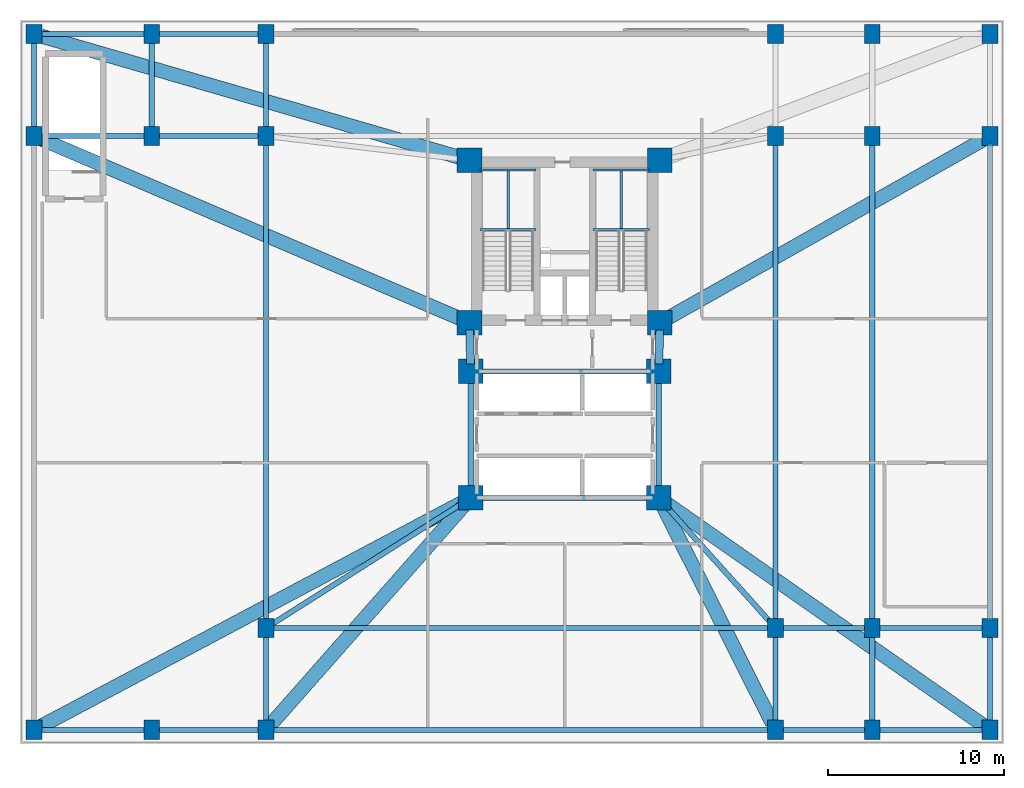
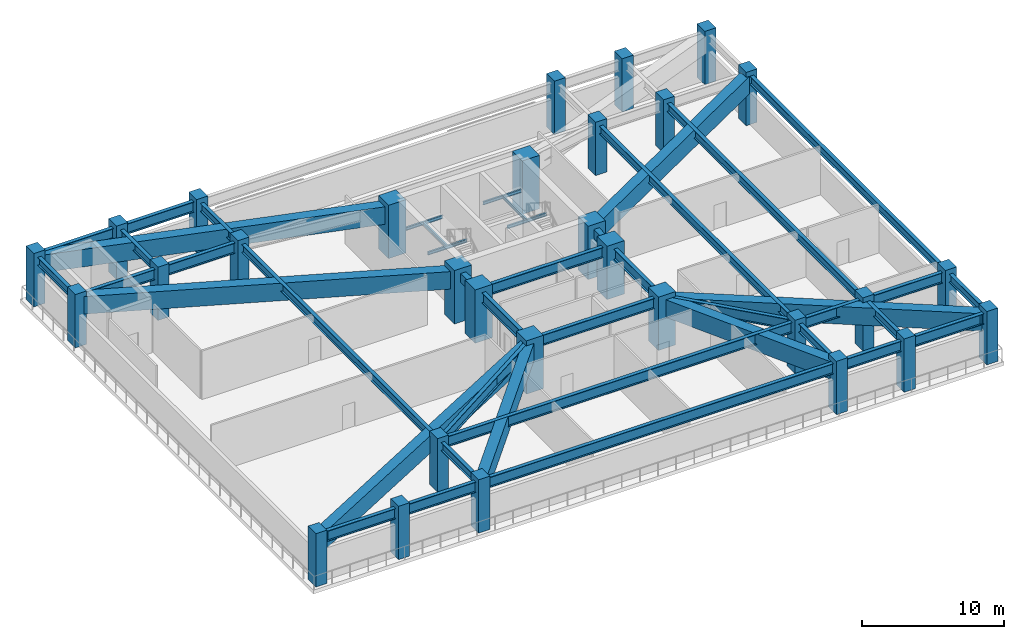
# One storey, part 1 of 9: 44 beams, 30 columns.
"""IFC4 building model written with IfcOpenShell, lengths in metres."""

from ifc_helpers import new_model, si_unit, direction, frame, origin, origin_2d, place, context, subcontext, project, spatial, rectangle, hollow_rectangle, i_section, extrude, material, material_profile, profile_set, type_object, element, save


model = new_model("IFC4")

# Units and contexts
model_context = context("Model", 3, precision=1e-05, world=origin(), true_north=direction((0.0, 1.0)))
body_context = subcontext(model_context, "Body", "Model", "MODEL_VIEW")
ifc_project = project(units=[si_unit("LENGTHUNIT", "METRE"), si_unit("AREAUNIT", "SQUARE_METRE"), si_unit("VOLUMEUNIT", "CUBIC_METRE"), si_unit("PLANEANGLEUNIT", "RADIAN"), si_unit("MASSUNIT", "GRAM", prefix="KILO")], contexts=[model_context])

# Site, building, storey
site_placement = place(None, origin())
site = spatial("IfcSite", under=ifc_project, at=site_placement, CompositionType="ELEMENT")
building_placement = place(site_placement, origin())
building = spatial("IfcBuilding", under=site, at=building_placement, Name="Varnakorn Sky Granary", CompositionType="ELEMENT")
storey_placement = place(building_placement, frame((0.0, 0.0, 23.0)))
storey = spatial("IfcBuildingStorey", under=building, at=storey_placement, Name="L05", CompositionType="ELEMENT", Elevation=23.0)

# Columns
ifc_material_1 = material(Name="Concrete C60/75", Category="concrete")
ifc_material_profile_1 = material_profile(ifc_material_1, rectangle(XDim=1.39990234375, YDim=1.39990234375, at=origin_2d()), Name="RC 1400x1400")
ifc_profile_set_1 = profile_set([ifc_material_profile_1], Name="Concrete C60/75")
column_type_1 = type_object("IfcColumnType", Name="COL-MC-Z0", PredefinedType="COLUMN", material=ifc_profile_set_1)
for number, where, z_axis, x_axis, name in (
    (1, (-2.419921875, 12.6201171875, 0.0), (0.0, 0.0, 1.0), (1.0, 0.0, 0.0), "Backbone Mega-Column MC1 L05"),
    (2, (8.419921875, 12.6201171875, 0.0), (0.0, 0.0, 1.0), (1.0, 0.0, 0.0), "Backbone Mega-Column MC2 L05"),
    (3, (-2.419921875, 3.3798828125, 0.0), (0.0, 0.0, 1.0), (1.0, 0.0, 0.0), "Backbone Mega-Column MC3 L05"),
    (4, (8.419921875, 3.3798828125, 0.0), (0.0, 0.0, 1.0), (1.0, 0.0, 0.0), "Backbone Mega-Column MC4 L05"),
    (5, (-2.35009765625, 0.60009765625, 0.0), (0.0, 0.0, 1.0), (1.0, 0.0, 0.0), "Backbone Mega-Column MC5 L05"),
    (6, (8.35009765625, 0.60009765625, 0.0), (0.0, 0.0, 1.0), (1.0, 0.0, 0.0), "Backbone Mega-Column MC6 L05"),
    (7, (-2.35009765625, -6.60009765625, 0.0), (0.0, 0.0, 1.0), (1.0, 0.0, 0.0), "Backbone Mega-Column MC7 L05"),
    (8, (8.35009765625, -6.60009765625, 0.0), (0.0, 0.0, 1.0), (1.0, 0.0, 0.0), "Backbone Mega-Column MC8 L05"),
):
    element("IfcColumn", number, at=place(storey_placement, frame(where, z_axis=z_axis, x_axis=x_axis)), inside=storey, type_object=column_type_1, Name=name, PredefinedType="COLUMN", context=body_context, shape_type="SweptSolid", body=[
        extrude(rectangle(XDim=1.39990234375, YDim=1.39990234375, at=origin_2d()), origin(), (0.0, 0.0, 1.0), 4.574951171875),
    ])
ifc_material_profile_2 = material_profile(ifc_material_1, rectangle(XDim=0.89990234375, YDim=1.10009765625, at=origin_2d()), Name="RC 900x1100")
ifc_profile_set_2 = profile_set([ifc_material_profile_2], Name="Concrete C60/75")
column_type_2 = type_object("IfcColumnType", Name="COL-POD-1100", PredefinedType="COLUMN", material=ifc_profile_set_2)
for number, where, z_axis, x_axis, name in (
    (9, (-27.199951171875, -19.800048828125, 0.0), (0.0, 0.0, 1.0), (1.0, 0.0, 0.0), "Podium Column P11 L05"),
    (10, (-27.199951171875, 14.0, 0.0), (0.0, 0.0, 1.0), (1.0, 0.0, 0.0), "Podium Column P13 L05"),
    (11, (-27.199951171875, 19.800048828125, 0.0), (0.0, 0.0, 1.0), (1.0, 0.0, 0.0), "Podium Column P14 L05"),
    (12, (-20.5, -19.800048828125, 0.0), (0.0, 0.0, 1.0), (1.0, 0.0, 0.0), "Podium Column P21 L05"),
    (13, (-20.5, 14.0, 0.0), (0.0, 0.0, 1.0), (1.0, 0.0, 0.0), "Podium Column P23 L05"),
    (14, (-20.5, 19.800048828125, 0.0), (0.0, 0.0, 1.0), (1.0, 0.0, 0.0), "Podium Column P24 L05"),
    (15, (-14.0, -19.800048828125, 0.0), (0.0, 0.0, 1.0), (1.0, 0.0, 0.0), "Podium Column P31 L05"),
    (16, (-14.0, -14.0, 0.0), (0.0, 0.0, 1.0), (1.0, 0.0, 0.0), "Podium Column P32 L05"),
    (17, (-14.0, 14.0, 0.0), (0.0, 0.0, 1.0), (1.0, 0.0, 0.0), "Podium Column P33 L05"),
    (18, (-14.0, 19.800048828125, 0.0), (0.0, 0.0, 1.0), (1.0, 0.0, 0.0), "Podium Column P34 L05"),
    (19, (15.0, -19.800048828125, 0.0), (0.0, 0.0, 1.0), (1.0, 0.0, 0.0), "Podium Column P41 L05"),
    (20, (15.0, -14.0, 0.0), (0.0, 0.0, 1.0), (1.0, 0.0, 0.0), "Podium Column P42 L05"),
    (21, (15.0, 14.0, 0.0), (0.0, 0.0, 1.0), (1.0, 0.0, 0.0), "Podium Column P43 L05"),
    (22, (15.0, 19.800048828125, 0.0), (0.0, 0.0, 1.0), (1.0, 0.0, 0.0), "Podium Column P44 L05"),
    (23, (20.5, -19.800048828125, 0.0), (0.0, 0.0, 1.0), (1.0, 0.0, 0.0), "Podium Column P51 L05"),
    (24, (20.5, -14.0, 0.0), (0.0, 0.0, 1.0), (1.0, 0.0, 0.0), "Podium Column P52 L05"),
    (25, (20.5, 14.0, 0.0), (0.0, 0.0, 1.0), (1.0, 0.0, 0.0), "Podium Column P53 L05"),
    (26, (20.5, 19.800048828125, 0.0), (0.0, 0.0, 1.0), (1.0, 0.0, 0.0), "Podium Column P54 L05"),
    (27, (27.199951171875, -19.800048828125, 0.0), (0.0, 0.0, 1.0), (1.0, 0.0, 0.0), "Podium Column P61 L05"),
    (28, (27.199951171875, -14.0, 0.0), (0.0, 0.0, 1.0), (1.0, 0.0, 0.0), "Podium Column P62 L05"),
    (29, (27.199951171875, 14.0, 0.0), (0.0, 0.0, 1.0), (1.0, 0.0, 0.0), "Podium Column P63 L05"),
    (30, (27.199951171875, 19.800048828125, 0.0), (0.0, 0.0, 1.0), (1.0, 0.0, 0.0), "Podium Column P64 L05"),
):
    element("IfcColumn", number, at=place(storey_placement, frame(where, z_axis=z_axis, x_axis=x_axis)), inside=storey, type_object=column_type_2, Name=name, PredefinedType="COLUMN", context=body_context, shape_type="SweptSolid", body=[
        extrude(rectangle(XDim=0.89990234375, YDim=1.10009765625, at=origin_2d()), origin(), (0.0, 0.0, 1.0), 4.574951171875),
    ])

# Beams
ifc_material_profile_3 = material_profile(ifc_material_1, rectangle(XDim=0.449951171875, YDim=0.75, at=origin_2d()), Name="RC 450x750")
ifc_profile_set_3 = profile_set([ifc_material_profile_3], Name="Concrete C60/75")
beam_type_1 = type_object("IfcBeamType", Name="BM-LIN-750", PredefinedType="LINTEL", material=ifc_profile_set_3)
for number, where, z_axis, x_axis, name in (
    (31, (-2.409423828125, 2.960205078125, 3.77490234375), (0.025158763514, -0.999683468213, 0.0), (0.999683468213, 0.025158763514, 0.0), "Core Spine Beam 1 L05"),
    (32, (8.409423828125, 2.960205078125, 3.77490234375), (-0.025158763514, -0.999683468213, 0.0), (0.999683468213, -0.025158763514, 0.0), "Core Spine Beam 2 L05"),
):
    element("IfcBeam", number, at=place(storey_placement, frame(where, z_axis=z_axis, x_axis=x_axis)), inside=storey, type_object=beam_type_1, Name=name, PredefinedType="LINTEL", context=body_context, shape_type="SweptSolid", body=[
        extrude(rectangle(XDim=0.449951171875, YDim=0.75, at=origin_2d()), origin(), (0.0, 0.0, 1.0), 1.94091796875),
    ])
ifc_material_2 = material(Name="Steel S355JR", Category="steel")
ifc_material_profile_4 = material_profile(ifc_material_2, i_section(OverallWidth=0.135009765625, OverallDepth=0.27001953125, WebThickness=0.006591796875, FlangeThickness=0.01025390625, at=origin_2d()), Name="IPE 270")
ifc_profile_set_4 = profile_set([ifc_material_profile_4], Name="Steel S355JR")
beam_type_2 = type_object("IfcBeamType", Name="BM-LND-270", PredefinedType="BEAM", material=ifc_profile_set_4)
for number, where, z_axis, x_axis, name in (
    (33, (-1.820068359375, 8.679931640625, 1.965087890625), (1.0, 0.0, 0.0), (0.0, 1.0, 0.0), "Stair ST-1 Landing Trimmer Beam A L05-1"),
    (34, (-1.820068359375, 12.06005859375, 1.965087890625), (1.0, 0.0, 0.0), (0.0, 1.0, 0.0), "Stair ST-1 Landing Trimmer Beam B L05-1"),
):
    element("IfcBeam", number, at=place(storey_placement, frame(where, z_axis=z_axis, x_axis=x_axis)), inside=storey, type_object=beam_type_2, Name=name, PredefinedType="BEAM", context=body_context, shape_type="SweptSolid", body=[
        extrude(i_section(OverallWidth=0.135009765625, OverallDepth=0.27001953125, WebThickness=0.006591796875, FlangeThickness=0.01025390625, at=origin_2d()), origin(), (0.0, 0.0, 1.0), 3.199951171875),
    ])
beam_1_placement = place(storey_placement, frame((-0.219970703125, 8.679931640625, 1.965087890625), z_axis=(0.0, 1.0, 0.0), x_axis=(-1.0, 0.0, 0.0)))
element("IfcBeam", 35, at=beam_1_placement, inside=storey, type_object=beam_type_2, Name="Stair ST-1 Landing Cross Beam C L05-1", PredefinedType="BEAM", context=body_context, shape_type="SweptSolid", body=[
    extrude(i_section(OverallWidth=0.135009765625, OverallDepth=0.27001953125, WebThickness=0.006591796875, FlangeThickness=0.01025390625, at=origin_2d()), origin(), (0.0, 0.0, 1.0), 3.380126953125),
])
for number, where, z_axis, x_axis, name in (
    (36, (4.6201171875, 8.679931640625, 1.965087890625), (1.0, 0.0, 0.0), (0.0, 1.0, 0.0), "Stair ST-2 Landing Trimmer Beam A L05-1"),
    (37, (4.6201171875, 12.06005859375, 1.965087890625), (1.0, 0.0, 0.0), (0.0, 1.0, 0.0), "Stair ST-2 Landing Trimmer Beam B L05-1"),
):
    element("IfcBeam", number, at=place(storey_placement, frame(where, z_axis=z_axis, x_axis=x_axis)), inside=storey, type_object=beam_type_2, Name=name, PredefinedType="BEAM", context=body_context, shape_type="SweptSolid", body=[
        extrude(i_section(OverallWidth=0.135009765625, OverallDepth=0.27001953125, WebThickness=0.006591796875, FlangeThickness=0.01025390625, at=origin_2d()), origin(), (0.0, 0.0, 1.0), 3.199951171875),
    ])
beam_2_placement = place(storey_placement, frame((6.219970703125, 8.679931640625, 1.965087890625), z_axis=(0.0, 1.0, 0.0), x_axis=(-1.0, 0.0, 0.0)))
element("IfcBeam", 38, at=beam_2_placement, inside=storey, type_object=beam_type_2, Name="Stair ST-2 Landing Cross Beam C L05-1", PredefinedType="BEAM", context=body_context, shape_type="SweptSolid", body=[
    extrude(i_section(OverallWidth=0.135009765625, OverallDepth=0.27001953125, WebThickness=0.006591796875, FlangeThickness=0.01025390625, at=origin_2d()), origin(), (0.0, 0.0, 1.0), 3.380126953125),
])
ifc_material_profile_5 = material_profile(ifc_material_2, i_section(OverallWidth=0.300048828125, OverallDepth=0.699951171875, WebThickness=0.01708984375, FlangeThickness=0.031982421875, at=origin_2d()), Name="HE 700 B")
ifc_profile_set_5 = profile_set([ifc_material_profile_5], Name="Steel S355JR")
beam_type_3 = type_object("IfcBeamType", Name="BM-PG-700", PredefinedType="T_BEAM", material=ifc_profile_set_5)
for number, where, z_axis, x_axis, name in (
    (39, (-27.199951171875, 14.419921875, 3.800048828125), (0.0, 1.0, 0.0), (-1.0, 0.0, 0.0), "Podium Y-Girder GY19 L05"),
    (40, (-20.5, 14.419921875, 3.800048828125), (0.0, 1.0, 0.0), (-1.0, 0.0, 0.0), "Podium Y-Girder GY20 L05"),
    (41, (-14.0, -19.3798828125, 3.800048828125), (0.0, 1.0, 0.0), (-1.0, 0.0, 0.0), "Podium Y-Girder GY21 L05"),
):
    element("IfcBeam", number, at=place(storey_placement, frame(where, z_axis=z_axis, x_axis=x_axis)), inside=storey, type_object=beam_type_3, Name=name, PredefinedType="T_BEAM", context=body_context, shape_type="SweptSolid", body=[
        extrude(i_section(OverallWidth=0.300048828125, OverallDepth=0.699951171875, WebThickness=0.01708984375, FlangeThickness=0.031982421875, at=origin_2d()), origin(), (0.0, 0.0, 1.0), 4.9599609375),
    ])
beam_3_placement = place(storey_placement, frame((-14.0, -13.580078125, 3.800048828125), z_axis=(0.0, 1.0, 0.0), x_axis=(-1.0, 0.0, 0.0)))
element("IfcBeam", 42, at=beam_3_placement, inside=storey, type_object=beam_type_3, Name="Podium Y-Girder GY22 L05", PredefinedType="T_BEAM", context=body_context, shape_type="SweptSolid", body=[
    extrude(i_section(OverallWidth=0.300048828125, OverallDepth=0.699951171875, WebThickness=0.01708984375, FlangeThickness=0.031982421875, at=origin_2d()), origin(), (0.0, 0.0, 1.0), 27.16015625),
])
for number, where, z_axis, x_axis, name in (
    (43, (-14.0, 14.419921875, 3.800048828125), (0.0, 1.0, 0.0), (-1.0, 0.0, 0.0), "Podium Y-Girder GY23 L05"),
    (44, (15.0, -19.3798828125, 3.800048828125), (0.0, 1.0, 0.0), (-1.0, 0.0, 0.0), "Podium Y-Girder GY24 L05"),
):
    element("IfcBeam", number, at=place(storey_placement, frame(where, z_axis=z_axis, x_axis=x_axis)), inside=storey, type_object=beam_type_3, Name=name, PredefinedType="T_BEAM", context=body_context, shape_type="SweptSolid", body=[
        extrude(i_section(OverallWidth=0.300048828125, OverallDepth=0.699951171875, WebThickness=0.01708984375, FlangeThickness=0.031982421875, at=origin_2d()), origin(), (0.0, 0.0, 1.0), 4.9599609375),
    ])
beam_4_placement = place(storey_placement, frame((15.0, -13.580078125, 3.800048828125), z_axis=(0.0, 1.0, 0.0), x_axis=(-1.0, 0.0, 0.0)))
element("IfcBeam", 45, at=beam_4_placement, inside=storey, type_object=beam_type_3, Name="Podium Y-Girder GY25 L05", PredefinedType="T_BEAM", context=body_context, shape_type="SweptSolid", body=[
    extrude(i_section(OverallWidth=0.300048828125, OverallDepth=0.699951171875, WebThickness=0.01708984375, FlangeThickness=0.031982421875, at=origin_2d()), origin(), (0.0, 0.0, 1.0), 27.16015625),
])
beam_5_placement = place(storey_placement, frame((20.5, -19.3798828125, 3.800048828125), z_axis=(0.0, 1.0, 0.0), x_axis=(-1.0, 0.0, 0.0)))
element("IfcBeam", 46, at=beam_5_placement, inside=storey, type_object=beam_type_3, Name="Podium Y-Girder GY27 L05", PredefinedType="T_BEAM", context=body_context, shape_type="SweptSolid", body=[
    extrude(i_section(OverallWidth=0.300048828125, OverallDepth=0.699951171875, WebThickness=0.01708984375, FlangeThickness=0.031982421875, at=origin_2d()), origin(), (0.0, 0.0, 1.0), 4.9599609375),
])
beam_6_placement = place(storey_placement, frame((20.5, -13.580078125, 3.800048828125), z_axis=(0.0, 1.0, 0.0), x_axis=(-1.0, 0.0, 0.0)))
element("IfcBeam", 47, at=beam_6_placement, inside=storey, type_object=beam_type_3, Name="Podium Y-Girder GY28 L05", PredefinedType="T_BEAM", context=body_context, shape_type="SweptSolid", body=[
    extrude(i_section(OverallWidth=0.300048828125, OverallDepth=0.699951171875, WebThickness=0.01708984375, FlangeThickness=0.031982421875, at=origin_2d()), origin(), (0.0, 0.0, 1.0), 27.16015625),
])
beam_7_placement = place(storey_placement, frame((27.199951171875, -19.3798828125, 3.800048828125), z_axis=(0.0, 1.0, 0.0), x_axis=(-1.0, 0.0, 0.0)))
element("IfcBeam", 48, at=beam_7_placement, inside=storey, type_object=beam_type_3, Name="Podium Y-Girder GY30 L05", PredefinedType="T_BEAM", context=body_context, shape_type="SweptSolid", body=[
    extrude(i_section(OverallWidth=0.300048828125, OverallDepth=0.699951171875, WebThickness=0.01708984375, FlangeThickness=0.031982421875, at=origin_2d()), origin(), (0.0, 0.0, 1.0), 4.9599609375),
])
beam_8_placement = place(storey_placement, frame((27.199951171875, -13.580078125, 3.800048828125), z_axis=(0.0, 1.0, 0.0), x_axis=(-1.0, 0.0, 0.0)))
element("IfcBeam", 49, at=beam_8_placement, inside=storey, type_object=beam_type_3, Name="Podium Y-Girder GY31 L05", PredefinedType="T_BEAM", context=body_context, shape_type="SweptSolid", body=[
    extrude(i_section(OverallWidth=0.300048828125, OverallDepth=0.699951171875, WebThickness=0.01708984375, FlangeThickness=0.031982421875, at=origin_2d()), origin(), (0.0, 0.0, 1.0), 27.16015625),
])
ifc_material_profile_6 = material_profile(ifc_material_2, i_section(OverallWidth=0.300048828125, OverallDepth=0.89990234375, WebThickness=0.0185546875, FlangeThickness=0.034912109375, at=origin_2d()), Name="HE 900 B")
ifc_profile_set_6 = profile_set([ifc_material_profile_6], Name="Steel S355JR")
beam_type_4 = type_object("IfcBeamType", Name="BM-PG-900", PredefinedType="BEAM", material=ifc_profile_set_6)
beam_9_placement = place(storey_placement, frame((-26.780029296875, -19.800048828125, 3.699951171875), z_axis=(1.0, 0.0, 0.0), x_axis=(0.0, 1.0, 0.0)))
element("IfcBeam", 50, at=beam_9_placement, inside=storey, type_object=beam_type_4, Name="Podium X-Girder GX01 L05", PredefinedType="BEAM", context=body_context, shape_type="SweptSolid", body=[
    extrude(i_section(OverallWidth=0.300048828125, OverallDepth=0.89990234375, WebThickness=0.0185546875, FlangeThickness=0.034912109375, at=origin_2d()), origin(), (0.0, 0.0, 1.0), 5.860107421875),
])
beam_10_placement = place(storey_placement, frame((-20.080078125, -19.800048828125, 3.699951171875), z_axis=(1.0, 0.0, 0.0), x_axis=(0.0, 1.0, 0.0)))
element("IfcBeam", 51, at=beam_10_placement, inside=storey, type_object=beam_type_4, Name="Podium X-Girder GX02 L05", PredefinedType="BEAM", context=body_context, shape_type="SweptSolid", body=[
    extrude(i_section(OverallWidth=0.300048828125, OverallDepth=0.89990234375, WebThickness=0.0185546875, FlangeThickness=0.034912109375, at=origin_2d()), origin(), (0.0, 0.0, 1.0), 5.66015625),
])
beam_11_placement = place(storey_placement, frame((-13.580078125, -19.800048828125, 3.699951171875), z_axis=(1.0, 0.0, 0.0), x_axis=(0.0, 1.0, 0.0)))
element("IfcBeam", 52, at=beam_11_placement, inside=storey, type_object=beam_type_4, Name="Podium X-Girder GX03 L05", PredefinedType="BEAM", context=body_context, shape_type="SweptSolid", body=[
    extrude(i_section(OverallWidth=0.300048828125, OverallDepth=0.89990234375, WebThickness=0.0185546875, FlangeThickness=0.034912109375, at=origin_2d()), origin(), (0.0, 0.0, 1.0), 28.16015625),
])
beam_12_placement = place(storey_placement, frame((15.419921875, -19.800048828125, 3.699951171875), z_axis=(1.0, 0.0, 0.0), x_axis=(0.0, 1.0, 0.0)))
element("IfcBeam", 53, at=beam_12_placement, inside=storey, type_object=beam_type_4, Name="Podium X-Girder GX04 L05", PredefinedType="BEAM", context=body_context, shape_type="SweptSolid", body=[
    extrude(i_section(OverallWidth=0.300048828125, OverallDepth=0.89990234375, WebThickness=0.0185546875, FlangeThickness=0.034912109375, at=origin_2d()), origin(), (0.0, 0.0, 1.0), 4.66015625),
])
beam_13_placement = place(storey_placement, frame((20.919921875, -19.800048828125, 3.699951171875), z_axis=(1.0, 0.0, 0.0), x_axis=(0.0, 1.0, 0.0)))
element("IfcBeam", 54, at=beam_13_placement, inside=storey, type_object=beam_type_4, Name="Podium X-Girder GX05 L05", PredefinedType="BEAM", context=body_context, shape_type="SweptSolid", body=[
    extrude(i_section(OverallWidth=0.300048828125, OverallDepth=0.89990234375, WebThickness=0.0185546875, FlangeThickness=0.034912109375, at=origin_2d()), origin(), (0.0, 0.0, 1.0), 5.860107421875),
])
beam_14_placement = place(storey_placement, frame((-13.580078125, -14.0, 3.699951171875), z_axis=(1.0, 0.0, 0.0), x_axis=(0.0, 1.0, 0.0)))
element("IfcBeam", 55, at=beam_14_placement, inside=storey, type_object=beam_type_4, Name="Podium X-Girder GX06 L05", PredefinedType="BEAM", context=body_context, shape_type="SweptSolid", body=[
    extrude(i_section(OverallWidth=0.300048828125, OverallDepth=0.89990234375, WebThickness=0.0185546875, FlangeThickness=0.034912109375, at=origin_2d()), origin(), (0.0, 0.0, 1.0), 28.16015625),
])
beam_15_placement = place(storey_placement, frame((15.419921875, -14.0, 3.699951171875), z_axis=(1.0, 0.0, 0.0), x_axis=(0.0, 1.0, 0.0)))
element("IfcBeam", 56, at=beam_15_placement, inside=storey, type_object=beam_type_4, Name="Podium X-Girder GX07 L05", PredefinedType="BEAM", context=body_context, shape_type="SweptSolid", body=[
    extrude(i_section(OverallWidth=0.300048828125, OverallDepth=0.89990234375, WebThickness=0.0185546875, FlangeThickness=0.034912109375, at=origin_2d()), origin(), (0.0, 0.0, 1.0), 4.66015625),
])
for number, where, z_axis, x_axis, name in (
    (57, (20.919921875, -14.0, 3.699951171875), (1.0, 0.0, 0.0), (0.0, 1.0, 0.0), "Podium X-Girder GX08 L05"),
    (58, (-26.780029296875, 14.0, 3.699951171875), (1.0, 0.0, 0.0), (0.0, 1.0, 0.0), "Podium X-Girder GX09 L05"),
):
    element("IfcBeam", number, at=place(storey_placement, frame(where, z_axis=z_axis, x_axis=x_axis)), inside=storey, type_object=beam_type_4, Name=name, PredefinedType="BEAM", context=body_context, shape_type="SweptSolid", body=[
        extrude(i_section(OverallWidth=0.300048828125, OverallDepth=0.89990234375, WebThickness=0.0185546875, FlangeThickness=0.034912109375, at=origin_2d()), origin(), (0.0, 0.0, 1.0), 5.860107421875),
    ])
beam_16_placement = place(storey_placement, frame((-20.080078125, 14.0, 3.699951171875), z_axis=(1.0, 0.0, 0.0), x_axis=(0.0, 1.0, 0.0)))
element("IfcBeam", 59, at=beam_16_placement, inside=storey, type_object=beam_type_4, Name="Podium X-Girder GX10 L05", PredefinedType="BEAM", context=body_context, shape_type="SweptSolid", body=[
    extrude(i_section(OverallWidth=0.300048828125, OverallDepth=0.89990234375, WebThickness=0.0185546875, FlangeThickness=0.034912109375, at=origin_2d()), origin(), (0.0, 0.0, 1.0), 5.66015625),
])
beam_17_placement = place(storey_placement, frame((-26.780029296875, 19.800048828125, 3.699951171875), z_axis=(1.0, 0.0, 0.0), x_axis=(0.0, 1.0, 0.0)))
element("IfcBeam", 60, at=beam_17_placement, inside=storey, type_object=beam_type_4, Name="Podium X-Girder GX14 L05", PredefinedType="BEAM", context=body_context, shape_type="SweptSolid", body=[
    extrude(i_section(OverallWidth=0.300048828125, OverallDepth=0.89990234375, WebThickness=0.0185546875, FlangeThickness=0.034912109375, at=origin_2d()), origin(), (0.0, 0.0, 1.0), 5.860107421875),
])
beam_18_placement = place(storey_placement, frame((-20.080078125, 19.800048828125, 3.699951171875), z_axis=(1.0, 0.0, 0.0), x_axis=(0.0, 1.0, 0.0)))
element("IfcBeam", 61, at=beam_18_placement, inside=storey, type_object=beam_type_4, Name="Podium X-Girder GX15 L05", PredefinedType="BEAM", context=body_context, shape_type="SweptSolid", body=[
    extrude(i_section(OverallWidth=0.300048828125, OverallDepth=0.89990234375, WebThickness=0.0185546875, FlangeThickness=0.034912109375, at=origin_2d()), origin(), (0.0, 0.0, 1.0), 5.66015625),
])
beam_19_placement = place(storey_placement, frame((-13.6455078125, -13.77490234375, 3.699951171875), z_axis=(0.844104836764, 0.536178164933, 0.0), x_axis=(-0.536178164933, 0.844104836764, 0.0)))
element("IfcBeam", 62, at=beam_19_placement, inside=storey, type_object=beam_type_4, Name="Podium Core Tie Girder 2 L05", PredefinedType="BEAM", context=body_context, shape_type="SweptSolid", body=[
    extrude(i_section(OverallWidth=0.300048828125, OverallDepth=0.89990234375, WebThickness=0.0185546875, FlangeThickness=0.034912109375, at=origin_2d()), origin(), (0.0, 0.0, 1.0), 12.961669921875),
])
beam_20_placement = place(storey_placement, frame((14.71923828125, -13.6875, 3.699951171875), z_axis=(-0.668418142949, 0.743785712538, 0.0), x_axis=(-0.743785712538, -0.668418142949, 0.0)))
element("IfcBeam", 63, at=beam_20_placement, inside=storey, type_object=beam_type_4, Name="Podium Core Tie Girder 4 L05", PredefinedType="BEAM", context=body_context, shape_type="SweptSolid", body=[
    extrude(i_section(OverallWidth=0.300048828125, OverallDepth=0.89990234375, WebThickness=0.0185546875, FlangeThickness=0.034912109375, at=origin_2d()), origin(), (0.0, 0.0, 1.0), 9.10888671875),
])
for number, where, z_axis, x_axis, name in (
    (64, (-2.35009765625, 0.179931640625, 3.699951171875), (0.0, -1.0, 0.0), (1.0, 0.0, 0.0), "Core Spine Beam 3 L05"),
    (65, (8.35009765625, 0.179931640625, 3.699951171875), (0.0, -1.0, 0.0), (1.0, 0.0, 0.0), "Core Spine Beam 4 L05"),
):
    element("IfcBeam", number, at=place(storey_placement, frame(where, z_axis=z_axis, x_axis=x_axis)), inside=storey, type_object=beam_type_4, Name=name, PredefinedType="BEAM", context=body_context, shape_type="SweptSolid", body=[
        extrude(i_section(OverallWidth=0.300048828125, OverallDepth=0.89990234375, WebThickness=0.0185546875, FlangeThickness=0.034912109375, at=origin_2d()), origin(), (0.0, 0.0, 1.0), 6.35986328125),
    ])
for number, where, z_axis, x_axis, name in (
    (66, (-1.929931640625, 0.60009765625, 3.699951171875), (1.0, 0.0, 0.0), (0.0, 1.0, 0.0), "Core Spine Beam 5 L05"),
    (67, (-1.929931640625, -6.60009765625, 3.699951171875), (1.0, 0.0, 0.0), (0.0, 1.0, 0.0), "Core Spine Beam 6 L05"),
):
    element("IfcBeam", number, at=place(storey_placement, frame(where, z_axis=z_axis, x_axis=x_axis)), inside=storey, type_object=beam_type_4, Name=name, PredefinedType="BEAM", context=body_context, shape_type="SweptSolid", body=[
        extrude(i_section(OverallWidth=0.300048828125, OverallDepth=0.89990234375, WebThickness=0.0185546875, FlangeThickness=0.034912109375, at=origin_2d()), origin(), (0.0, 0.0, 1.0), 9.85986328125),
    ])
ifc_material_3 = material(Name="Steel S460M", Category="steel")
ifc_material_profile_7 = material_profile(ifc_material_3, hollow_rectangle(XDim=0.800048828125, YDim=1.5, WallThickness=0.0400390625, at=origin_2d()), Name="BOX 800x1500x40")
ifc_profile_set_7 = profile_set([ifc_material_profile_7], Name="Steel S460M")
beam_type_5 = type_object("IfcBeamType", Name="BM-TB-1500", PredefinedType="BEAM", material=ifc_profile_set_7)
beam_21_placement = place(storey_placement, frame((-2.823486328125, 12.73681640625, 3.39990234375), z_axis=(-0.960492592607, 0.278305550694, 0.0), x_axis=(-0.278305550694, -0.960492592607, 0.0)))
element("IfcBeam", 68, at=beam_21_placement, inside=storey, type_object=beam_type_5, Name="Podium Drum Transfer Box Girder 1", PredefinedType="BEAM", context=body_context, shape_type="SweptSolid", body=[
    extrude(hollow_rectangle(XDim=0.800048828125, YDim=1.5, WallThickness=0.0400390625, at=origin_2d()), origin(), (0.0, 0.0, 1.0), 24.959228515625),
])
beam_22_placement = place(storey_placement, frame((-2.805908203125, 3.54541015625, 3.39990234375), z_axis=(-0.919143096172, 0.393923810856, 0.0), x_axis=(-0.393923810856, -0.919143096172, 0.0)))
element("IfcBeam", 69, at=beam_22_placement, inside=storey, type_object=beam_type_5, Name="Podium Drum Transfer Box Girder 2", PredefinedType="BEAM", context=body_context, shape_type="SweptSolid", body=[
    extrude(hollow_rectangle(XDim=0.800048828125, YDim=1.5, WallThickness=0.0400390625, at=origin_2d()), origin(), (0.0, 0.0, 1.0), 26.1201171875),
])
beam_23_placement = place(storey_placement, frame((-2.720947265625, -6.797119140625, 3.39990234375), z_axis=(-0.883139224715, -0.469110978095, 0.0), x_axis=(0.469110978095, -0.883139224715, 0.0)))
element("IfcBeam", 70, at=beam_23_placement, inside=storey, type_object=beam_type_5, Name="Podium Drum Transfer Box Girder 3", PredefinedType="BEAM", context=body_context, shape_type="SweptSolid", body=[
    extrude(hollow_rectangle(XDim=0.800048828125, YDim=1.5, WallThickness=0.0400390625, at=origin_2d()), origin(), (0.0, 0.0, 1.0), 27.29833984375),
])
beam_24_placement = place(storey_placement, frame((-2.6279296875, -6.914794921875, 3.39990234375), z_axis=(-0.661715065128, -0.749755408505, 0.0), x_axis=(0.749755408505, -0.661715065128, 0.0)))
element("IfcBeam", 71, at=beam_24_placement, inside=storey, type_object=beam_type_5, Name="Podium Drum Transfer Box Girder 4", PredefinedType="BEAM", context=body_context, shape_type="SweptSolid", body=[
    extrude(hollow_rectangle(XDim=0.800048828125, YDim=1.5, WallThickness=0.0400390625, at=origin_2d()), origin(), (0.0, 0.0, 1.0), 16.765869140625),
])
beam_25_placement = place(storey_placement, frame((8.5390625, -6.97509765625, 3.39990234375), z_axis=(0.449915598805, -0.893071080011, 0.0), x_axis=(0.893071080011, 0.449915598805, 0.0)))
element("IfcBeam", 72, at=beam_25_placement, inside=storey, type_object=beam_type_5, Name="Podium Drum Transfer Box Girder 5", PredefinedType="BEAM", context=body_context, shape_type="SweptSolid", body=[
    extrude(hollow_rectangle(XDim=0.800048828125, YDim=1.5, WallThickness=0.0400390625, at=origin_2d()), origin(), (0.0, 0.0, 1.0), 13.9404296875),
])
beam_26_placement = place(storey_placement, frame((8.694091796875, -6.8408203125, 3.39990234375), z_axis=(0.819126894864, -0.573612351777, 0.0), x_axis=(0.573612351777, 0.819126894864, 0.0)))
element("IfcBeam", 73, at=beam_26_placement, inside=storey, type_object=beam_type_5, Name="Podium Drum Transfer Box Girder 6", PredefinedType="BEAM", context=body_context, shape_type="SweptSolid", body=[
    extrude(hollow_rectangle(XDim=0.800048828125, YDim=1.5, WallThickness=0.0400390625, at=origin_2d()), origin(), (0.0, 0.0, 1.0), 22.172119140625),
])
beam_27_placement = place(storey_placement, frame((8.78564453125, 3.586669921875, 3.39990234375), z_axis=(0.870458873825, 0.492241149214, 0.0), x_axis=(-0.492241149214, 0.870458873825, 0.0)))
element("IfcBeam", 74, at=beam_27_placement, inside=storey, type_object=beam_type_5, Name="Podium Drum Transfer Box Girder 7", PredefinedType="BEAM", context=body_context, shape_type="SweptSolid", body=[
    extrude(hollow_rectangle(XDim=0.800048828125, YDim=1.5, WallThickness=0.0400390625, at=origin_2d()), origin(), (0.0, 0.0, 1.0), 20.73486328125),
])

save(model, "model.ifc")
